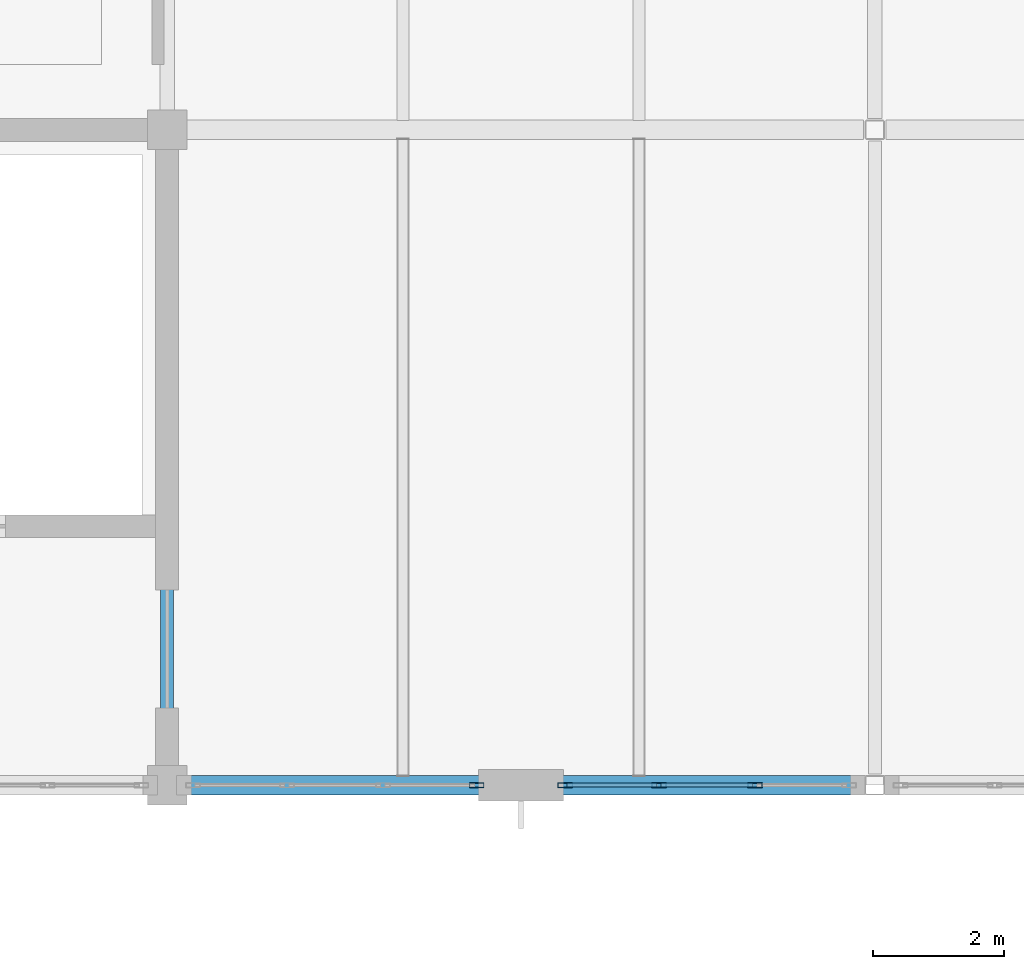
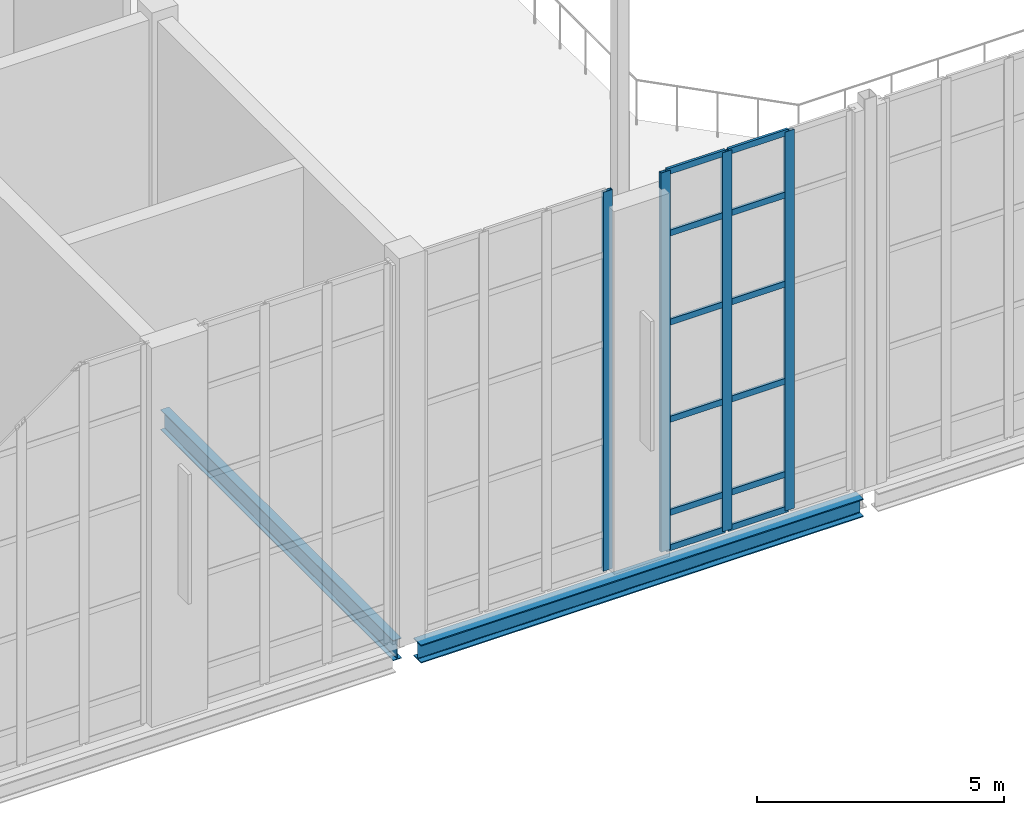
# One storey, part 19 of 100: 16 members, 2 beams, 2 elements without a shape of their own.
"""IFC4 building model written with IfcOpenShell, lengths in metres."""

from ifc_helpers import new_model, si_unit, direction, frame, origin, origin_2d, place, context, subcontext, project, spatial, hollow_rectangle, i_section, extrude, material, layer, layer_set, material_profile, profile_set, type_object, element, aggregate, save


model = new_model("IFC4")

# Units and contexts
model_context = context("Model", 3, precision=1e-05, world=origin(), true_north=direction((0.0, 1.0)))
body_context = subcontext(model_context, "Body", "Model", "MODEL_VIEW")
ifc_project = project(units=[si_unit("LENGTHUNIT", "METRE"), si_unit("AREAUNIT", "SQUARE_METRE"), si_unit("VOLUMEUNIT", "CUBIC_METRE"), si_unit("PLANEANGLEUNIT", "RADIAN"), si_unit("MASSUNIT", "GRAM", prefix="KILO")], contexts=[model_context])

# Site, building, storey
site_placement = place(None, origin())
site = spatial("IfcSite", under=ifc_project, at=site_placement, CompositionType="ELEMENT")
building_placement = place(site_placement, origin())
building = spatial("IfcBuilding", under=site, at=building_placement, Name="Tasgan Crest Museum", CompositionType="ELEMENT")
storey_placement = place(building_placement, frame((0.0, 0.0, 14.39990234375)))
storey = spatial("IfcBuildingStorey", under=building, at=storey_placement, Name="L03", CompositionType="ELEMENT", Elevation=14.39990234375)

# Beams
ifc_material_1 = material(Name="Steel S355J2", Category="steel")
ifc_material_profile_1 = material_profile(ifc_material_1, i_section(OverallWidth=0.300048828125, OverallDepth=0.449951171875, WebThickness=0.013916015625, FlangeThickness=0.02587890625, FilletRadius=0.027099609375, at=origin_2d()), Name="HEB 450")
ifc_profile_set_1 = profile_set([ifc_material_profile_1], Name="Steel S355J2")
beam_type_1 = type_object("IfcBeamType", Name="BM-G-HEB450", PredefinedType="BEAM", material=ifc_profile_set_1)
beam_1_placement = place(storey_placement, frame((54.2958984375, 40.0, -0.46484375), z_axis=(1.0, 0.0, 0.0), x_axis=(0.0, 1.0, 0.0)))
element("IfcBeam", 1, at=beam_1_placement, inside=storey, type_object=beam_type_1, Name="Girder L03 E 54.0-64.8", PredefinedType="BEAM", context=body_context, shape_type="SweptSolid", body=[
    extrude(i_section(OverallWidth=0.300048828125, OverallDepth=0.449951171875, WebThickness=0.013916015625, FlangeThickness=0.02587890625, FilletRadius=0.027099609375, at=origin_2d()), origin(), (0.0, 0.0, 1.0), 10.330322265625),
])
ifc_material_2 = material(Name="Steel S355J2", Category="steel")
ifc_material_profile_2 = material_profile(ifc_material_2, i_section(OverallWidth=0.199951171875, OverallDepth=0.5, WebThickness=0.01025390625, FlangeThickness=0.01611328125, FilletRadius=0.02099609375, at=origin_2d()), Name="IPE 500")
ifc_profile_set_2 = profile_set([ifc_material_profile_2], Name="Steel S355J2")
beam_type_2 = type_object("IfcBeamType", Name="BM-G-IPE500", PredefinedType="BEAM", material=ifc_profile_set_2)
beam_2_placement = place(storey_placement, frame((54.0, 40.294921875, -0.510009765625), z_axis=(0.0, 1.0, 0.0), x_axis=(-1.0, 0.0, 0.0)))
element("IfcBeam", 2, at=beam_2_placement, inside=storey, type_object=beam_type_2, Name="Beam L03 6 40.0-50.0", PredefinedType="BEAM", context=body_context, shape_type="SweptSolid", body=[
    extrude(i_section(OverallWidth=0.199951171875, OverallDepth=0.5, WebThickness=0.01025390625, FlangeThickness=0.01611328125, FilletRadius=0.02099609375, at=origin_2d()), origin(), (0.0, 0.0, 1.0), 9.41015625),
])

# Curtain wall, member
ifc_material_3 = material(Name="Triple-Glazed Aluminium Curtain Wall", Category="aluminium")
ifc_layer = layer(ifc_material_3, 0.179931640625, Name="CW-DRUM-X-96")
ifc_layer_set = layer_set([ifc_layer], Name="Triple-Glazed Aluminium Curtain Wall")
curtain_wall_type = type_object("IfcCurtainWallType", Name="CW-DRUM-X-96", PredefinedType="NOTDEFINED", material=ifc_layer_set)
curtain_wall_1_placement = place(storey_placement, origin())
curtain_wall_1 = element("IfcCurtainWall", 3, at=curtain_wall_1_placement, inside=storey, type_object=curtain_wall_type, Name="Curtain wall L03 145", PredefinedType="NOTDEFINED")
ifc_material_4 = material(Name="Anodised Aluminium", Category="aluminium")
ifc_material_profile_3 = material_profile(ifc_material_4, hollow_rectangle(XDim=0.074951171875, YDim=0.219970703125, WallThickness=0.006103515625, at=origin_2d()), Name="ALU MULLION 220x75x6")
ifc_profile_set_3 = profile_set([ifc_material_profile_3], Name="Anodised Aluminium")
member_type_1 = type_object("IfcMemberType", Name="CW-MULLION-220", PredefinedType="MULLION", material=ifc_profile_set_3)
member_1_placement = place(storey_placement, frame((58.72509765625, 40.0, 0.0), z_axis=(0.0, 0.0, 1.0), x_axis=(0.0, 1.0, 0.0)))
member_1 = element("IfcMember", 4, at=member_1_placement, type_object=member_type_1, Name="CW06 mullion 4", PredefinedType="MULLION", context=body_context, shape_type="SweptSolid", body=[
    extrude(hollow_rectangle(XDim=0.074951171875, YDim=0.219970703125, WallThickness=0.006103515625, at=origin_2d()), origin(), (0.0, 0.0, 1.0), 9.360107421875),
])
aggregate(curtain_wall_1, [member_1])

# Curtain wall, members
curtain_wall_2_placement = place(storey_placement, origin())
curtain_wall_2 = element("IfcCurtainWall", 5, at=curtain_wall_2_placement, inside=storey, type_object=curtain_wall_type, Name="Curtain wall L03 146", PredefinedType="NOTDEFINED")
member_2_placement = place(storey_placement, frame((60.074951171875, 40.0, 0.0), z_axis=(0.0, 0.0, 1.0), x_axis=(0.0, 1.0, 0.0)))
member_2 = element("IfcMember", 6, at=member_2_placement, type_object=member_type_1, Name="CW06 mullion 1", PredefinedType="MULLION", context=body_context, shape_type="SweptSolid", body=[
    extrude(hollow_rectangle(XDim=0.074951171875, YDim=0.219970703125, WallThickness=0.006103515625, at=origin_2d()), origin(), (0.0, 0.0, 1.0), 9.360107421875),
])
member_3_placement = place(storey_placement, frame((61.50830078125, 40.0, 0.0), z_axis=(0.0, 0.0, 1.0), x_axis=(0.0, 1.0, 0.0)))
member_3 = element("IfcMember", 7, at=member_3_placement, type_object=member_type_1, Name="CW06 mullion 2", PredefinedType="MULLION", context=body_context, shape_type="SweptSolid", body=[
    extrude(hollow_rectangle(XDim=0.074951171875, YDim=0.219970703125, WallThickness=0.006103515625, at=origin_2d()), origin(), (0.0, 0.0, 1.0), 9.360107421875),
])
member_4_placement = place(storey_placement, frame((62.9716796875, 40.0, 0.0), z_axis=(0.0, 0.0, 1.0), x_axis=(0.0, 1.0, 0.0)))
member_4 = element("IfcMember", 8, at=member_4_placement, type_object=member_type_1, Name="CW06 mullion 3", PredefinedType="MULLION", context=body_context, shape_type="SweptSolid", body=[
    extrude(hollow_rectangle(XDim=0.074951171875, YDim=0.219970703125, WallThickness=0.006103515625, at=origin_2d()), origin(), (0.0, 0.0, 1.0), 9.360107421875),
])
ifc_material_5 = material(Name="Anodised Aluminium", Category="aluminium")
ifc_material_profile_4 = material_profile(ifc_material_5, hollow_rectangle(XDim=0.06005859375, YDim=0.14990234375, WallThickness=0.0048828125, at=origin_2d()), Name="ALU TRANSOM 150x60x5")
ifc_profile_set_4 = profile_set([ifc_material_profile_4], Name="Anodised Aluminium")
member_type_2 = type_object("IfcMemberType", Name="CW-TRANSOM-150", PredefinedType="USERDEFINED", material=ifc_profile_set_4)
member_5_placement = place(storey_placement, frame((60.10498046875, 40.0, 0.030029296875), z_axis=(1.0, 0.0, 0.0), x_axis=(0.0, 1.0, 0.0)))
member_5 = element("IfcMember", 9, at=member_5_placement, type_object=member_type_2, Name="CW06 transom 1.1", ObjectType="TRANSOM", PredefinedType="USERDEFINED", context=body_context, shape_type="SweptSolid", body=[
    extrude(hollow_rectangle(XDim=0.06005859375, YDim=0.14990234375, WallThickness=0.0048828125, at=origin_2d()), origin(), (0.0, 0.0, 1.0), 1.373291015625),
])
member_6_placement = place(storey_placement, frame((60.10498046875, 40.0, 0.900146484375), z_axis=(1.0, 0.0, 0.0), x_axis=(0.0, 1.0, 0.0)))
member_6 = element("IfcMember", 10, at=member_6_placement, type_object=member_type_2, Name="CW06 transom 1.2", ObjectType="TRANSOM", PredefinedType="USERDEFINED", context=body_context, shape_type="SweptSolid", body=[
    extrude(hollow_rectangle(XDim=0.06005859375, YDim=0.14990234375, WallThickness=0.0048828125, at=origin_2d()), origin(), (0.0, 0.0, 1.0), 1.373291015625),
])
member_7_placement = place(storey_placement, frame((60.10498046875, 40.0, 3.2001953125), z_axis=(1.0, 0.0, 0.0), x_axis=(0.0, 1.0, 0.0)))
member_7 = element("IfcMember", 11, at=member_7_placement, type_object=member_type_2, Name="CW06 transom 1.3", ObjectType="TRANSOM", PredefinedType="USERDEFINED", context=body_context, shape_type="SweptSolid", body=[
    extrude(hollow_rectangle(XDim=0.06005859375, YDim=0.14990234375, WallThickness=0.0048828125, at=origin_2d()), origin(), (0.0, 0.0, 1.0), 1.373291015625),
])
member_8_placement = place(storey_placement, frame((60.10498046875, 40.0, 5.60009765625), z_axis=(1.0, 0.0, 0.0), x_axis=(0.0, 1.0, 0.0)))
member_8 = element("IfcMember", 12, at=member_8_placement, type_object=member_type_2, Name="CW06 transom 1.4", ObjectType="TRANSOM", PredefinedType="USERDEFINED", context=body_context, shape_type="SweptSolid", body=[
    extrude(hollow_rectangle(XDim=0.06005859375, YDim=0.14990234375, WallThickness=0.0048828125, at=origin_2d()), origin(), (0.0, 0.0, 1.0), 1.373291015625),
])
member_9_placement = place(storey_placement, frame((60.10498046875, 40.0, 7.800048828125), z_axis=(1.0, 0.0, 0.0), x_axis=(0.0, 1.0, 0.0)))
member_9 = element("IfcMember", 13, at=member_9_placement, type_object=member_type_2, Name="CW06 transom 1.5", ObjectType="TRANSOM", PredefinedType="USERDEFINED", context=body_context, shape_type="SweptSolid", body=[
    extrude(hollow_rectangle(XDim=0.06005859375, YDim=0.14990234375, WallThickness=0.0048828125, at=origin_2d()), origin(), (0.0, 0.0, 1.0), 1.373291015625),
])
member_10_placement = place(storey_placement, frame((60.10498046875, 40.0, 9.330078125), z_axis=(1.0, 0.0, 0.0), x_axis=(0.0, 1.0, 0.0)))
member_10 = element("IfcMember", 14, at=member_10_placement, type_object=member_type_2, Name="CW06 transom 1.6", ObjectType="TRANSOM", PredefinedType="USERDEFINED", context=body_context, shape_type="SweptSolid", body=[
    extrude(hollow_rectangle(XDim=0.06005859375, YDim=0.14990234375, WallThickness=0.0048828125, at=origin_2d()), origin(), (0.0, 0.0, 1.0), 1.373291015625),
])
member_11_placement = place(storey_placement, frame((61.538330078125, 40.0, 0.030029296875), z_axis=(1.0, 0.0, 0.0), x_axis=(0.0, 1.0, 0.0)))
member_11 = element("IfcMember", 15, at=member_11_placement, type_object=member_type_2, Name="CW06 transom 2.1", ObjectType="TRANSOM", PredefinedType="USERDEFINED", context=body_context, shape_type="SweptSolid", body=[
    extrude(hollow_rectangle(XDim=0.06005859375, YDim=0.14990234375, WallThickness=0.0048828125, at=origin_2d()), origin(), (0.0, 0.0, 1.0), 1.4033203125),
])
member_12_placement = place(storey_placement, frame((61.538330078125, 40.0, 0.900146484375), z_axis=(1.0, 0.0, 0.0), x_axis=(0.0, 1.0, 0.0)))
member_12 = element("IfcMember", 16, at=member_12_placement, type_object=member_type_2, Name="CW06 transom 2.2", ObjectType="TRANSOM", PredefinedType="USERDEFINED", context=body_context, shape_type="SweptSolid", body=[
    extrude(hollow_rectangle(XDim=0.06005859375, YDim=0.14990234375, WallThickness=0.0048828125, at=origin_2d()), origin(), (0.0, 0.0, 1.0), 1.4033203125),
])
member_13_placement = place(storey_placement, frame((61.538330078125, 40.0, 3.2001953125), z_axis=(1.0, 0.0, 0.0), x_axis=(0.0, 1.0, 0.0)))
member_13 = element("IfcMember", 17, at=member_13_placement, type_object=member_type_2, Name="CW06 transom 2.3", ObjectType="TRANSOM", PredefinedType="USERDEFINED", context=body_context, shape_type="SweptSolid", body=[
    extrude(hollow_rectangle(XDim=0.06005859375, YDim=0.14990234375, WallThickness=0.0048828125, at=origin_2d()), origin(), (0.0, 0.0, 1.0), 1.4033203125),
])
member_14_placement = place(storey_placement, frame((61.538330078125, 40.0, 5.60009765625), z_axis=(1.0, 0.0, 0.0), x_axis=(0.0, 1.0, 0.0)))
member_14 = element("IfcMember", 18, at=member_14_placement, type_object=member_type_2, Name="CW06 transom 2.4", ObjectType="TRANSOM", PredefinedType="USERDEFINED", context=body_context, shape_type="SweptSolid", body=[
    extrude(hollow_rectangle(XDim=0.06005859375, YDim=0.14990234375, WallThickness=0.0048828125, at=origin_2d()), origin(), (0.0, 0.0, 1.0), 1.4033203125),
])
member_15_placement = place(storey_placement, frame((61.538330078125, 40.0, 7.800048828125), z_axis=(1.0, 0.0, 0.0), x_axis=(0.0, 1.0, 0.0)))
member_15 = element("IfcMember", 19, at=member_15_placement, type_object=member_type_2, Name="CW06 transom 2.5", ObjectType="TRANSOM", PredefinedType="USERDEFINED", context=body_context, shape_type="SweptSolid", body=[
    extrude(hollow_rectangle(XDim=0.06005859375, YDim=0.14990234375, WallThickness=0.0048828125, at=origin_2d()), origin(), (0.0, 0.0, 1.0), 1.4033203125),
])
member_16_placement = place(storey_placement, frame((61.538330078125, 40.0, 9.330078125), z_axis=(1.0, 0.0, 0.0), x_axis=(0.0, 1.0, 0.0)))
member_16 = element("IfcMember", 20, at=member_16_placement, type_object=member_type_2, Name="CW06 transom 2.6", ObjectType="TRANSOM", PredefinedType="USERDEFINED", context=body_context, shape_type="SweptSolid", body=[
    extrude(hollow_rectangle(XDim=0.06005859375, YDim=0.14990234375, WallThickness=0.0048828125, at=origin_2d()), origin(), (0.0, 0.0, 1.0), 1.4033203125),
])
aggregate(curtain_wall_2, [member_2, member_3, member_4, member_5, member_6, member_7, member_8, member_9, member_10, member_11, member_12, member_13, member_14, member_15, member_16])

save(model, "model.ifc")
